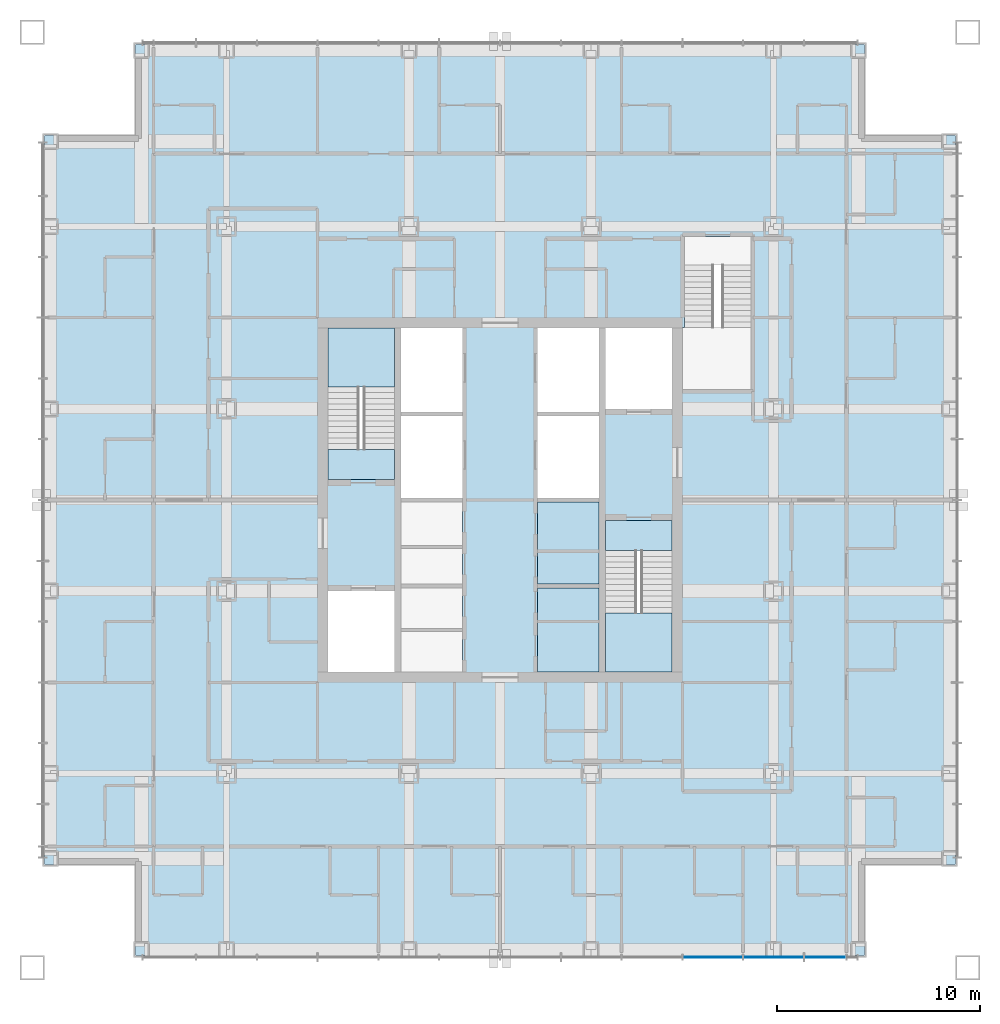
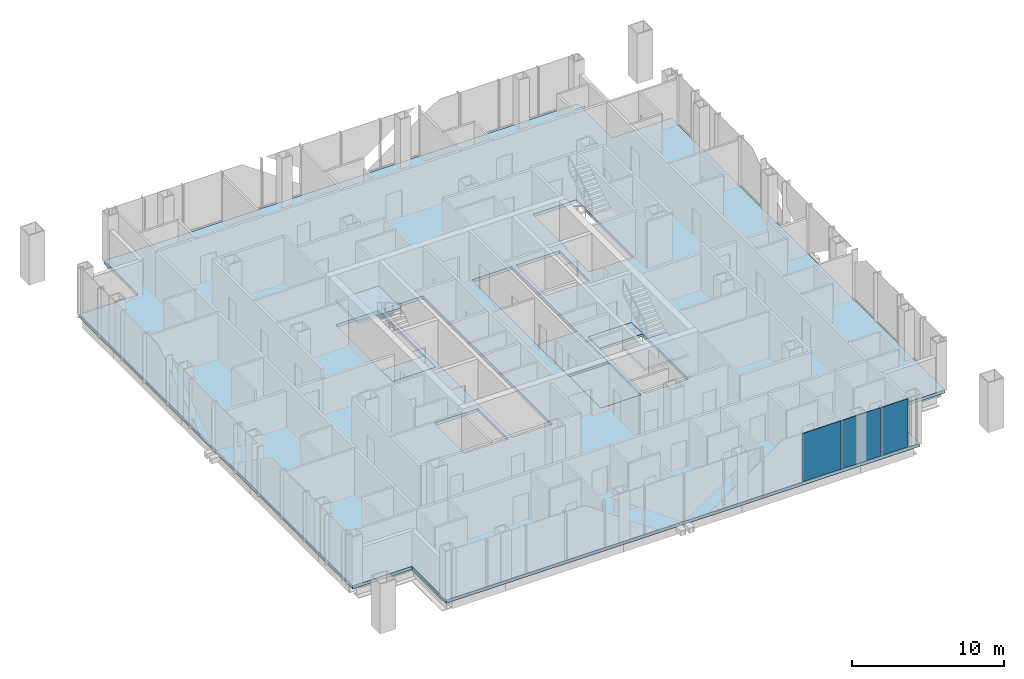
# One storey, part 8 of 17: 7 slabs, 3 plates, 3 elements without a shape of their own.
"""IFC4 building model written with IfcOpenShell, lengths in metres."""

from ifc_helpers import new_model, si_unit, direction, frame, origin, origin_2d, place, context, subcontext, project, spatial, polyline, rectangle, outline, extrude, material, layer, layer_set, type_object, element, aggregate, save


model = new_model("IFC4")

# Units and contexts
model_context = context("Model", 3, precision=1e-05, world=origin(), true_north=direction((0.0, 1.0)))
body_context = subcontext(model_context, "Body", "Model", "MODEL_VIEW")
ifc_project = project(units=[si_unit("LENGTHUNIT", "METRE"), si_unit("AREAUNIT", "SQUARE_METRE"), si_unit("VOLUMEUNIT", "CUBIC_METRE"), si_unit("PLANEANGLEUNIT", "RADIAN"), si_unit("MASSUNIT", "GRAM", prefix="KILO")], contexts=[model_context])

# Site, building, storey
site_placement = place(None, origin())
site = spatial("IfcSite", under=ifc_project, at=site_placement, CompositionType="ELEMENT")
building_placement = place(site_placement, origin())
building = spatial("IfcBuilding", under=site, at=building_placement, Name="Malebo Sky Hospital", CompositionType="ELEMENT")
storey_placement = place(building_placement, frame((0.0, 0.0, 193.0)))
storey = spatial("IfcBuildingStorey", under=building, at=storey_placement, Name="L46", CompositionType="ELEMENT", Elevation=193.0)

# Slabs
ifc_material_1 = material(Name="Concrete C40/50", Category="concrete")
ifc_layer_1 = layer(ifc_material_1, 0.25)
ifc_layer_set_1 = layer_set([ifc_layer_1], Name="COMPOSITE FLOOR SLAB 250")
slab_type_1 = type_object("IfcSlabType", Name="COMPOSITE FLOOR SLAB 250", PredefinedType="FLOOR", material=ifc_layer_set_1)
slab_1_placement = place(storey_placement, frame((0.0, 0.0, -0.25)))
element("IfcSlab", 1, at=slab_1_placement, inside=storey, type_object=slab_type_1, Name="Floor slab L46", PredefinedType="FLOOR", context=body_context, shape_type="SweptSolid", body=[
    extrude(outline(polyline([(42.0, 84.5), (42.0, 80.0), (37.5, 80.0), (37.5, 44.0), (42.0, 44.0), (42.0, 39.5), (78.0, 39.5), (78.0, 44.0), (82.5, 44.0), (82.5, 80.0), (78.0, 80.0), (78.0, 84.5), (42.0, 84.5)]), holes=[polyline([(55.10009765625, 70.5), (58.14990234375, 70.5), (58.14990234375, 53.5), (55.10009765625, 53.5), (55.10009765625, 70.5)]), polyline([(64.89990234375, 70.5), (64.89990234375, 53.5), (61.85009765625, 53.5), (61.85009765625, 70.5), (64.89990234375, 70.5)]), polyline([(54.800048828125, 63.0), (51.5, 63.0), (51.5, 70.5), (54.800048828125, 70.5), (54.800048828125, 63.0)]), polyline([(51.5, 53.5), (51.5, 57.5), (54.800048828125, 57.5), (54.800048828125, 53.5), (51.5, 53.5)]), polyline([(65.199951171875, 61.0), (68.5, 61.0), (68.5, 53.5), (65.199951171875, 53.5), (65.199951171875, 61.0)]), polyline([(68.5, 70.5), (68.5, 66.5), (65.199951171875, 66.5), (65.199951171875, 70.5), (68.5, 70.5)]), polyline([(69.0, 67.449951171875), (69.0, 70.52001953125), (69.10009765625, 70.52001953125), (69.10009765625, 75.0), (72.39990234375, 75.0), (72.39990234375, 67.449951171875), (69.10009765625, 67.449951171875), (69.0, 67.449951171875)])]), origin(), (0.0, 0.0, 1.0), 0.25),
])
ifc_layer_2 = layer(ifc_material_1, 0.25)
ifc_layer_set_2 = layer_set([ifc_layer_2], Name="SHAFT INFILL SLAB 250")
slab_type_2 = type_object("IfcSlabType", Name="SHAFT INFILL SLAB 250", PredefinedType="FLOOR", material=ifc_layer_set_2)
slab_2_placement = place(storey_placement, frame((0.0, 0.0, -0.25)))
element("IfcSlab", 2, at=slab_2_placement, inside=storey, type_object=slab_type_2, Name="Shaft infill slab E1 L46", PredefinedType="FLOOR", context=body_context, shape_type="SweptSolid", body=[
    extrude(outline(polyline([(61.85009765625, 53.5), (64.89990234375, 53.5), (64.89990234375, 57.64990234375), (61.85009765625, 57.64990234375), (61.85009765625, 53.5)])), origin(), (0.0, 0.0, 1.0), 0.25),
])
slab_3_placement = place(storey_placement, frame((0.0, 0.0, -0.25)))
element("IfcSlab", 3, at=slab_3_placement, inside=storey, type_object=slab_type_2, Name="Shaft infill slab E2 L46", PredefinedType="FLOOR", context=body_context, shape_type="SweptSolid", body=[
    extrude(outline(polyline([(61.85009765625, 57.85009765625), (64.89990234375, 57.85009765625), (64.89990234375, 61.89990234375), (61.85009765625, 61.89990234375), (61.85009765625, 57.85009765625)])), origin(), (0.0, 0.0, 1.0), 0.25),
])

# Stair, slabs
stair_type = type_object("IfcStairType", Name="HALF-TURN STAIR 1500 R167", PredefinedType="HALF_TURN_STAIR", material=ifc_material_1)
stair_1_placement = place(storey_placement, origin())
stair_1 = element("IfcStair", 4, at=stair_1_placement, inside=storey, type_object=stair_type, Name="Stair S1 L46 type ST1", PredefinedType="HALF_TURN_STAIR")
ifc_layer_3 = layer(ifc_material_1, 0.199951171875)
ifc_layer_set_3 = layer_set([ifc_layer_3], Name="STAIR LANDING 200")
slab_type_3 = type_object("IfcSlabType", Name="STAIR LANDING 200", PredefinedType="LANDING", material=ifc_layer_set_3)
slab_4_placement = place(storey_placement, frame((0.0, 0.0, -0.199951171875)))
slab_4 = element("IfcSlab", 5, at=slab_4_placement, type_object=slab_type_3, Name="S1 landing 1", PredefinedType="LANDING", context=body_context, shape_type="SweptSolid", body=[
    extrude(outline(polyline([(51.5, 63.0), (54.800048828125, 63.0), (54.800048828125, 64.5), (51.5, 64.5), (51.5, 63.0)])), origin(), (0.0, 0.0, 1.0), 0.199951171875),
])
slab_5_placement = place(storey_placement, frame((0.0, 0.0, 1.800048828125)))
slab_5 = element("IfcSlab", 6, at=slab_5_placement, type_object=slab_type_3, Name="S1 landing 2", PredefinedType="LANDING", context=body_context, shape_type="SweptSolid", body=[
    extrude(outline(polyline([(51.5, 67.580078125), (54.800048828125, 67.580078125), (54.800048828125, 70.5), (51.5, 70.5), (51.5, 67.580078125)])), origin(), (0.0, 0.0, 1.0), 0.199951171875),
])
aggregate(stair_1, [slab_4, slab_5])

stair_2_placement = place(storey_placement, origin())
stair_2 = element("IfcStair", 7, at=stair_2_placement, inside=storey, type_object=stair_type, Name="Stair S2 L46 type ST1", PredefinedType="HALF_TURN_STAIR")
slab_6_placement = place(storey_placement, frame((0.0, 0.0, -0.199951171875)))
slab_6 = element("IfcSlab", 8, at=slab_6_placement, type_object=slab_type_3, Name="S2 landing 1", PredefinedType="LANDING", context=body_context, shape_type="SweptSolid", body=[
    extrude(outline(polyline([(65.199951171875, 59.5), (68.5, 59.5), (68.5, 61.0), (65.199951171875, 61.0), (65.199951171875, 59.5)])), origin(), (0.0, 0.0, 1.0), 0.199951171875),
])
slab_7_placement = place(storey_placement, frame((0.0, 0.0, 1.800048828125)))
slab_7 = element("IfcSlab", 9, at=slab_7_placement, type_object=slab_type_3, Name="S2 landing 2", PredefinedType="LANDING", context=body_context, shape_type="SweptSolid", body=[
    extrude(outline(polyline([(65.199951171875, 53.5), (68.5, 53.5), (68.5, 56.419921875), (65.199951171875, 56.419921875), (65.199951171875, 53.5)])), origin(), (0.0, 0.0, 1.0), 0.199951171875),
])
aggregate(stair_2, [slab_6, slab_7])

# Curtain wall, plates
ifc_material_2 = material(Name="Anodised aluminium, natural silver", Category="aluminium")
ifc_layer_4 = layer(ifc_material_2, 0.25)
ifc_layer_set_4 = layer_set([ifc_layer_4], Name="WARD CURTAIN WALL NORTH AND SOUTH")
curtain_wall_type = type_object("IfcCurtainWallType", Name="WARD CURTAIN WALL NORTH AND SOUTH", PredefinedType="NOTDEFINED", material=ifc_layer_set_4)
curtain_wall_placement = place(storey_placement, origin())
curtain_wall = element("IfcCurtainWall", 10, at=curtain_wall_placement, inside=storey, type_object=curtain_wall_type, Name="NS curtain wall S", PredefinedType="NOTDEFINED")
ifc_material_3 = material(Name="Clear low-iron double glazing", Category="glass")
ifc_layer_5 = layer(ifc_material_3, 0.031982421875)
ifc_layer_set_5 = layer_set([ifc_layer_5], Name="VISION PANEL CLEAR 32")
plate_type = type_object("IfcPlateType", Name="VISION PANEL CLEAR 32", PredefinedType="CURTAIN_PANEL", material=ifc_layer_set_5)
plate_1_placement = place(storey_placement, frame((76.050048828125, 39.425048828125, 0.10009765625), z_axis=(0.0, 0.0, 1.0), x_axis=(-1.0, 0.0, 0.0)))
plate_1 = element("IfcPlate", 11, at=plate_1_placement, type_object=plate_type, Name="Panel 2", PredefinedType="CURTAIN_PANEL", context=body_context, shape_type="SweptSolid", body=[
    extrude(rectangle(XDim=2.02490234375, YDim=0.031982421875, at=origin_2d()), origin(), (0.0, 0.0, 1.0), 3.889892578125),
])
plate_2_placement = place(storey_placement, frame((73.5, 39.425048828125, 0.10009765625), z_axis=(0.0, 0.0, 1.0), x_axis=(-1.0, 0.0, 0.0)))
plate_2 = element("IfcPlate", 12, at=plate_2_placement, type_object=plate_type, Name="Panel 3", PredefinedType="CURTAIN_PANEL", context=body_context, shape_type="SweptSolid", body=[
    extrude(rectangle(XDim=2.925048828125, YDim=0.031982421875, at=origin_2d()), origin(), (0.0, 0.0, 1.0), 3.889892578125),
])
plate_3_placement = place(storey_placement, frame((70.5, 39.425048828125, 0.10009765625), z_axis=(0.0, 0.0, 1.0), x_axis=(-1.0, 0.0, 0.0)))
plate_3 = element("IfcPlate", 13, at=plate_3_placement, type_object=plate_type, Name="Panel 4", PredefinedType="CURTAIN_PANEL", context=body_context, shape_type="SweptSolid", body=[
    extrude(rectangle(XDim=2.925048828125, YDim=0.031982421875, at=origin_2d()), origin(), (0.0, 0.0, 1.0), 3.889892578125),
])
aggregate(curtain_wall, [plate_1, plate_2, plate_3])

save(model, "model.ifc")
